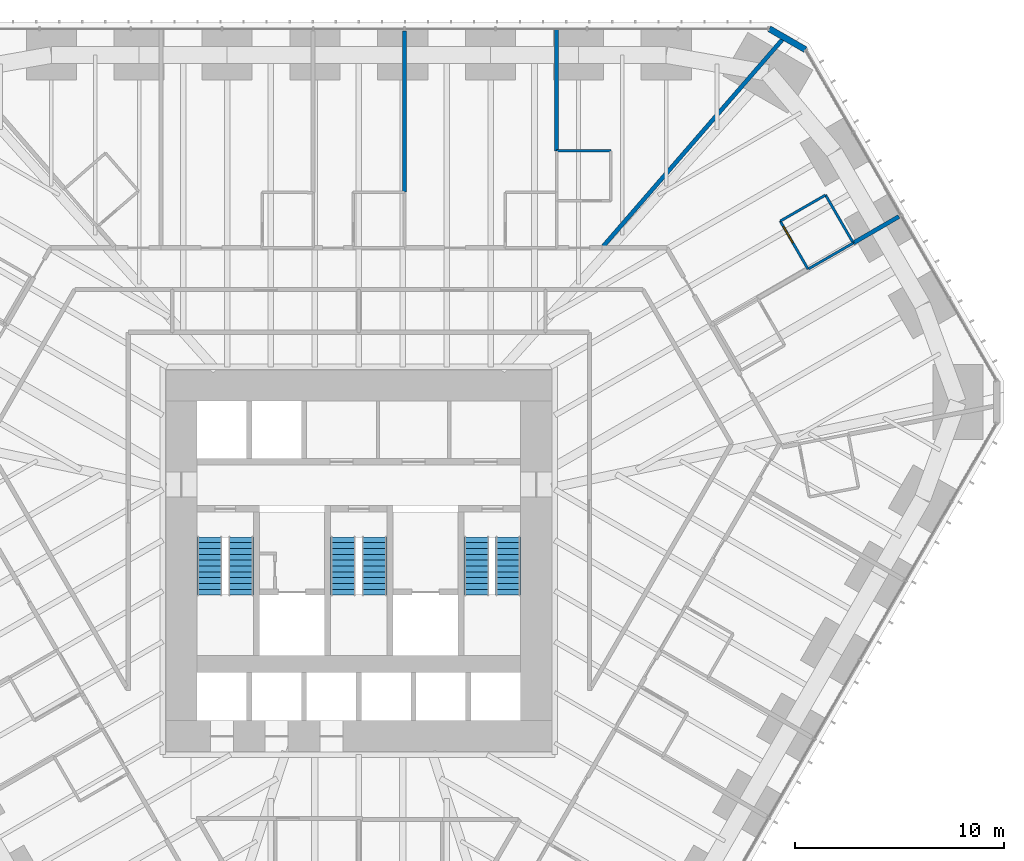
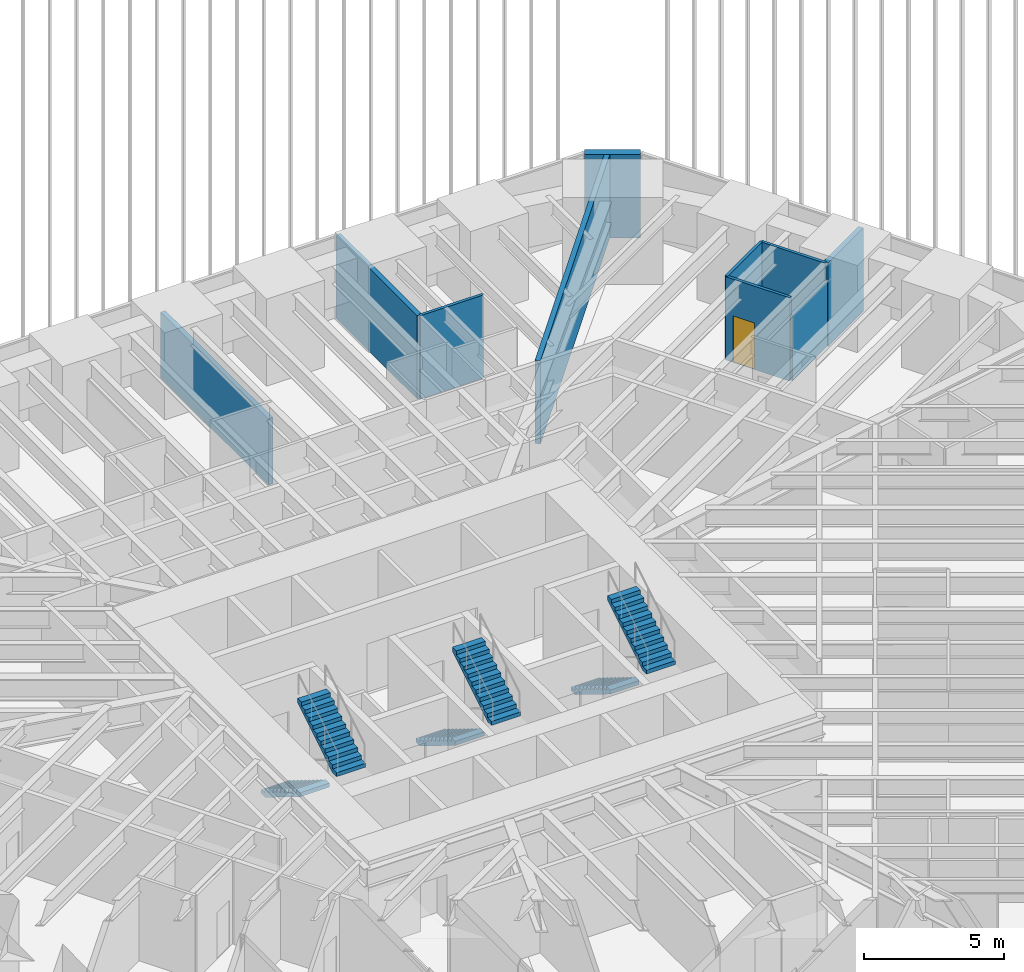
# One storey, part 255 of 256: 10 walls, 6 stair flights, 1 door, 1 opening, 3 elements without a shape of their own.
"""IFC4 building model written with IfcOpenShell, lengths in metres."""

from ifc_helpers import new_model, si_unit, direction, frame, frame_2d, origin, place, context, subcontext, project, spatial, polyline, rectangle, outline, extrude, material, layer, layer_set, type_object, element, fill, aggregate, save


model = new_model("IFC4")

# Units and contexts
model_context = context("Model", 3, precision=1e-05, world=origin(), true_north=direction((0.0, 1.0)))
body_context = subcontext(model_context, "Body", "Model", "MODEL_VIEW")
ifc_project = project(units=[si_unit("LENGTHUNIT", "METRE"), si_unit("AREAUNIT", "SQUARE_METRE"), si_unit("VOLUMEUNIT", "CUBIC_METRE"), si_unit("PLANEANGLEUNIT", "RADIAN"), si_unit("MASSUNIT", "GRAM", prefix="KILO")], contexts=[model_context])

# Site, building, storey
site_placement = place(None, origin())
site = spatial("IfcSite", under=ifc_project, at=site_placement, CompositionType="ELEMENT")
building_placement = place(site_placement, origin())
building = spatial("IfcBuilding", under=site, at=building_placement, Name="Sandreach Pilgrim Tower", CompositionType="ELEMENT")
storey_placement = place(building_placement, frame((0.0, 0.0, 23.0)))
storey = spatial("IfcBuildingStorey", under=building, at=storey_placement, Name="L04", CompositionType="ELEMENT", Elevation=23.0)

# Wall
ifc_material_1 = material(Name="Moisture-resistant gypsum board on steel studs", Category="steel")
ifc_layer_1 = layer(ifc_material_1, 0.1201171875)
ifc_layer_set_1 = layer_set([ifc_layer_1], Name="Bathroom partition 120")
wall_type_1 = type_object("IfcWallType", Name="Bathroom partition 120", PredefinedType="PARTITIONING", material=ifc_layer_set_1)
wall_1_placement = place(storey_placement, frame((12.080078125, 18.10009765625, 0.0), z_axis=(0.0, 0.0, 1.0), x_axis=(-1.0, 0.0, 0.0)))
element("IfcWall", 1, at=wall_1_placement, inside=storey, type_object=wall_type_1, Name="Bathroom partition L04-133", PredefinedType="PARTITIONING", context=body_context, shape_type="SweptSolid", body=[
    extrude(rectangle(XDim=2.60009765625, YDim=0.1201171875, at=frame_2d((1.300048828125, 0.0))), origin(), (0.0, 0.0, 1.0), 3.639892578125),
])

# Wall, opening, door
wall_2_placement = place(storey_placement, frame((20.199951171875, 14.72998046875, 0.0), z_axis=(0.0, 0.0, 1.0), x_axis=(0.500605174168, -0.865675724273, 0.0)))
wall_2 = element("IfcWall", 2, at=wall_2_placement, inside=storey, type_object=wall_type_1, Name="Bathroom partition L04-157", PredefinedType="PARTITIONING", context=body_context, shape_type="SweptSolid", body=[
    extrude(rectangle(XDim=2.656982421875, YDim=0.1201171875, at=frame_2d((1.32861328125, 0.0))), origin(), (0.0, 0.0, 1.0), 3.639892578125),
])
opening_placement = place(wall_2_placement, frame((0.300048828125, 0.0, 0.0)))
opening = element("IfcOpeningElement", 3, at=opening_placement, cuts=wall_2, Name="Opening D09-06B", PredefinedType="OPENING", context=body_context, shape_type="SweptSolid", body=[
    extrude(rectangle(XDim=0.89990234375, YDim=2.030029296875, at=frame_2d((0.449951171875, 1.01513671875))), frame((0.0, 0.06005859375, 0.0), z_axis=(0.0, -1.0, 0.0), x_axis=(1.0, 0.0, 0.0)), (0.0, 0.0, 1.0), 0.1201171875),
])
ifc_material_2 = material(Name="Timber door, steel frame", Category="steel")
door_type = type_object("IfcDoorType", Name="Bathroom door", OperationType="SINGLE_SWING_LEFT", PredefinedType="DOOR", material=ifc_material_2)
door_placement = place(opening_placement, origin())
door = element("IfcDoor", 4, at=door_placement, inside=storey, type_object=door_type, Name="Door 0406B", OperationType="SINGLE_SWING_LEFT", OverallHeight=2.030029296875, OverallWidth=0.89990234375, PredefinedType="DOOR", context=body_context, shape_type="SweptSolid", body=[
    extrude(rectangle(XDim=0.89990234375, YDim=2.030029296875, at=frame_2d((0.449951171875, 1.01513671875))), frame((0.0, 0.02490234375, 0.0), z_axis=(0.0, -1.0, 0.0), x_axis=(1.0, 0.0, 0.0)), (0.0, 0.0, 1.0), 0.050048828125),
])
fill(opening, door)

# Walls
wall_3_placement = place(storey_placement, frame((21.550048828125, 12.43994140625, 0.0), z_axis=(0.0, 0.0, 1.0), x_axis=(0.866244536399, 0.499620258956, 0.0)))
element("IfcWall", 5, at=wall_3_placement, inside=storey, type_object=wall_type_1, Name="Bathroom partition L04-163", PredefinedType="PARTITIONING", context=body_context, shape_type="SweptSolid", body=[
    extrude(rectangle(XDim=2.48193359375, YDim=0.1201171875, at=frame_2d((1.240966796875, 0.0))), origin(), (0.0, 0.0, 1.0), 2.860107421875),
])
wall_4_placement = place(storey_placement, frame((22.3701171875, 15.97998046875, 0.0), z_axis=(0.0, 0.0, 1.0), x_axis=(-0.86653430447, -0.499117520406, 0.0)))
element("IfcWall", 6, at=wall_4_placement, inside=storey, type_object=wall_type_1, Name="Bathroom partition L04-165", PredefinedType="PARTITIONING", context=body_context, shape_type="SweptSolid", body=[
    extrude(rectangle(XDim=2.50439453125, YDim=0.1201171875, at=frame_2d((1.252197265625, 0.0))), origin(), (0.0, 0.0, 1.0), 3.639892578125),
])
wall_5_placement = place(storey_placement, frame((23.699951171875, 13.679931640625, 0.0), z_axis=(0.0, 0.0, 1.0), x_axis=(-0.500605174168, 0.865675724273, 0.0)))
element("IfcWall", 7, at=wall_5_placement, inside=storey, type_object=wall_type_1, Name="Bathroom partition L04-167", PredefinedType="PARTITIONING", context=body_context, shape_type="SweptSolid", body=[
    extrude(rectangle(XDim=2.656982421875, YDim=0.1201171875, at=frame_2d((1.32861328125, 0.0))), origin(), (0.0, 0.0, 1.0), 3.639892578125),
])
ifc_material_3 = material(Name="Double steel stud acoustic wall, gypsum board", Category="steel")
ifc_layer_2 = layer(ifc_material_3, 0.199951171875)
ifc_layer_set_2 = layer_set([ifc_layer_2], Name="Party wall 200")
wall_type_2 = type_object("IfcWallType", Name="Party wall 200", PredefinedType="PARTITIONING", material=ifc_layer_set_2)
wall_6_placement = place(storey_placement, frame((2.18994140625, 23.830078125, 0.0), z_axis=(0.0, 0.0, 1.0), x_axis=(0.0, -1.0, 0.0)))
element("IfcWall", 8, at=wall_6_placement, inside=storey, type_object=wall_type_2, Name="Party wall L04-092", PredefinedType="PARTITIONING", context=body_context, shape_type="SweptSolid", body=[
    extrude(rectangle(XDim=7.7099609375, YDim=0.199951171875, at=frame_2d((3.85498046875, 0.0))), origin(), (0.0, 0.0, 1.0), 2.8779296875),
])
wall_7_placement = place(storey_placement, frame((9.47998046875, 23.919921875, 0.0), z_axis=(0.0, 0.0, 1.0), x_axis=(0.0, -1.0, 0.0)))
element("IfcWall", 9, at=wall_7_placement, inside=storey, type_object=wall_type_2, Name="Party wall L04-121", PredefinedType="PARTITIONING", context=body_context, shape_type="SweptSolid", body=[
    extrude(rectangle(XDim=5.81982421875, YDim=0.199951171875, at=frame_2d((2.909912109375, 0.0))), origin(), (0.0, 0.0, 1.0), 3.639892578125),
])
wall_8_placement = place(storey_placement, frame((20.400390625, 23.54736328125, 0.0), z_axis=(0.0, 0.0, 1.0), x_axis=(-0.654899675326, -0.7557158297, 0.0)))
element("IfcWall", 10, at=wall_8_placement, inside=storey, type_object=wall_type_2, Name="Party wall L04-159", PredefinedType="PARTITIONING", context=body_context, shape_type="SweptSolid", body=[
    extrude(rectangle(XDim=13.251220703125, YDim=0.199951171875, at=frame_2d((6.62548828125, 0.0))), origin(), (0.0, 0.0, 1.0), 3.639892578125),
])
wall_9_placement = place(storey_placement, frame((23.699951171875, 13.679931640625, 0.0), z_axis=(0.0, 0.0, 1.0), x_axis=(0.864733482606, 0.502231026581, 0.0)))
element("IfcWall", 11, at=wall_9_placement, inside=storey, type_object=wall_type_2, Name="Party wall L04-168", PredefinedType="PARTITIONING", context=body_context, shape_type="SweptSolid", body=[
    extrude(rectangle(XDim=2.5283203125, YDim=0.199951171875, at=frame_2d((1.26416015625, 0.0))), origin(), (0.0, 0.0, 1.0), 3.639892578125),
])
ifc_material_4 = material(Name="Terracotta rainscreen on concrete", Category="masonry")
ifc_layer_3 = layer(ifc_material_4, 0.300048828125)
ifc_layer_set_3 = layer_set([ifc_layer_3], Name="Terracotta chamfer pier")
wall_type_3 = type_object("IfcWallType", Name="Terracotta chamfer pier", PredefinedType="SOLIDWALL", material=ifc_layer_set_3)
wall_10_placement = place(storey_placement, frame((19.672119140625, 23.94873046875, 0.0), z_axis=(0.0, 0.0, 1.0), x_axis=(0.866010750942, -0.50002537861, 0.0)))
element("IfcWall", 12, at=wall_10_placement, inside=storey, type_object=wall_type_3, Name="Chamfer pier L04 N", PredefinedType="SOLIDWALL", context=body_context, shape_type="SweptSolid", body=[
    extrude(rectangle(XDim=2.0, YDim=0.300048828125, at=frame_2d((1.0, 0.0))), origin(), (0.0, 0.0, 1.0), 3.639892578125),
])

# Stair, stair flights
ifc_material_5 = material(Name="Concrete 8000 psi", Category="concrete")
stair_type = type_object("IfcStairType", Name="Core exit stair", PredefinedType="HALF_TURN_STAIR", material=ifc_material_5)
stair_1_placement = place(storey_placement, origin())
stair_1 = element("IfcStair", 13, at=stair_1_placement, inside=storey, type_object=stair_type, Name="Exit stair ST1 L04", PredefinedType="HALF_TURN_STAIR")
ifc_material_6 = material(Name="Concrete 8000 psi", Category="concrete")
stair_flight_type = type_object("IfcStairFlightType", Name="Core stair flight 1200", PredefinedType="STRAIGHT", material=ifc_material_6)
stair_flight_1_placement = place(storey_placement, frame((-7.14990234375, -0.39990234375, 0.0), z_axis=(0.0, 0.0, 1.0), x_axis=(0.0, -1.0, 0.0)))
stair_flight_1 = element("IfcStairFlight", 14, at=stair_flight_1_placement, type_object=stair_flight_type, Name="ST1 flight 1", NumberOfRisers=11, NumberOfTreads=10, PredefinedType="STRAIGHT", RiserHeight=0.172727273, TreadLength=0.28, context=body_context, shape_type="SweptSolid", body=[
    extrude(outline(polyline([(0.0, 0.0), (0.0, 0.172607421875), (0.280029296875, 0.172607421875), (0.280029296875, 0.345458984375), (0.56005859375, 0.345458984375), (0.56005859375, 0.51806640625), (0.840087890625, 0.51806640625), (0.840087890625, 0.69091796875), (1.1201171875, 0.69091796875), (1.1201171875, 0.863525390625), (1.39990234375, 0.863525390625), (1.39990234375, 1.036376953125), (1.679931640625, 1.036376953125), (1.679931640625, 1.208984375), (1.9599609375, 1.208984375), (1.9599609375, 1.3818359375), (2.239990234375, 1.3818359375), (2.239990234375, 1.554443359375), (2.52001953125, 1.554443359375), (2.52001953125, 1.727294921875), (2.800048828125, 1.727294921875), (2.800048828125, 1.89990234375), (2.800048828125, 1.551025390625), (0.285400390625, 0.0), (0.0, 0.0)])), frame((0.0, 0.60009765625, 0.0), z_axis=(0.0, -1.0, 0.0), x_axis=(1.0, 0.0, 0.0)), (0.0, 0.0, 1.0), 1.199951171875),
])
stair_flight_2_placement = place(storey_placement, frame((-5.64990234375, -3.199951171875, 1.89990234375), z_axis=(0.0, 0.0, 1.0), x_axis=(0.0, 1.0, 0.0)))
stair_flight_2 = element("IfcStairFlight", 15, at=stair_flight_2_placement, type_object=stair_flight_type, Name="ST1 flight 2", NumberOfRisers=11, NumberOfTreads=10, PredefinedType="STRAIGHT", RiserHeight=0.172727273, TreadLength=0.28, context=body_context, shape_type="SweptSolid", body=[
    extrude(outline(polyline([(0.0, 0.0), (0.0, 0.172607421875), (0.280029296875, 0.172607421875), (0.280029296875, 0.345458984375), (0.56005859375, 0.345458984375), (0.56005859375, 0.51806640625), (0.840087890625, 0.51806640625), (0.840087890625, 0.69091796875), (1.1201171875, 0.69091796875), (1.1201171875, 0.863525390625), (1.39990234375, 0.863525390625), (1.39990234375, 1.036376953125), (1.679931640625, 1.036376953125), (1.679931640625, 1.208984375), (1.9599609375, 1.208984375), (1.9599609375, 1.3818359375), (2.239990234375, 1.3818359375), (2.239990234375, 1.554443359375), (2.52001953125, 1.554443359375), (2.52001953125, 1.727294921875), (2.800048828125, 1.727294921875), (2.800048828125, 1.89990234375), (2.800048828125, 1.551025390625), (0.285400390625, 0.0), (0.0, 0.0)])), frame((0.0, 0.60009765625, 0.0), z_axis=(0.0, -1.0, 0.0), x_axis=(1.0, 0.0, 0.0)), (0.0, 0.0, 1.0), 1.199951171875),
])
aggregate(stair_1, [stair_flight_1, stair_flight_2])

stair_2_placement = place(storey_placement, origin())
stair_2 = element("IfcStair", 16, at=stair_2_placement, inside=storey, type_object=stair_type, Name="Exit stair ST3 L04", PredefinedType="HALF_TURN_STAIR")
stair_flight_3_placement = place(storey_placement, frame((-0.75, -0.39990234375, 0.0), z_axis=(0.0, 0.0, 1.0), x_axis=(0.0, -1.0, 0.0)))
stair_flight_3 = element("IfcStairFlight", 17, at=stair_flight_3_placement, type_object=stair_flight_type, Name="ST3 flight 1", NumberOfRisers=11, NumberOfTreads=10, PredefinedType="STRAIGHT", RiserHeight=0.172727273, TreadLength=0.28, context=body_context, shape_type="SweptSolid", body=[
    extrude(outline(polyline([(0.0, 0.0), (0.0, 0.172607421875), (0.280029296875, 0.172607421875), (0.280029296875, 0.345458984375), (0.56005859375, 0.345458984375), (0.56005859375, 0.51806640625), (0.840087890625, 0.51806640625), (0.840087890625, 0.69091796875), (1.1201171875, 0.69091796875), (1.1201171875, 0.863525390625), (1.39990234375, 0.863525390625), (1.39990234375, 1.036376953125), (1.679931640625, 1.036376953125), (1.679931640625, 1.208984375), (1.9599609375, 1.208984375), (1.9599609375, 1.3818359375), (2.239990234375, 1.3818359375), (2.239990234375, 1.554443359375), (2.52001953125, 1.554443359375), (2.52001953125, 1.727294921875), (2.800048828125, 1.727294921875), (2.800048828125, 1.89990234375), (2.800048828125, 1.551025390625), (0.285400390625, 0.0), (0.0, 0.0)])), frame((0.0, 0.60009765625, 0.0), z_axis=(0.0, -1.0, 0.0), x_axis=(1.0, 0.0, 0.0)), (0.0, 0.0, 1.0), 1.199951171875),
])
stair_flight_4_placement = place(storey_placement, frame((0.75, -3.199951171875, 1.89990234375), z_axis=(0.0, 0.0, 1.0), x_axis=(0.0, 1.0, 0.0)))
stair_flight_4 = element("IfcStairFlight", 18, at=stair_flight_4_placement, type_object=stair_flight_type, Name="ST3 flight 2", NumberOfRisers=11, NumberOfTreads=10, PredefinedType="STRAIGHT", RiserHeight=0.172727273, TreadLength=0.28, context=body_context, shape_type="SweptSolid", body=[
    extrude(outline(polyline([(0.0, 0.0), (0.0, 0.172607421875), (0.280029296875, 0.172607421875), (0.280029296875, 0.345458984375), (0.56005859375, 0.345458984375), (0.56005859375, 0.51806640625), (0.840087890625, 0.51806640625), (0.840087890625, 0.69091796875), (1.1201171875, 0.69091796875), (1.1201171875, 0.863525390625), (1.39990234375, 0.863525390625), (1.39990234375, 1.036376953125), (1.679931640625, 1.036376953125), (1.679931640625, 1.208984375), (1.9599609375, 1.208984375), (1.9599609375, 1.3818359375), (2.239990234375, 1.3818359375), (2.239990234375, 1.554443359375), (2.52001953125, 1.554443359375), (2.52001953125, 1.727294921875), (2.800048828125, 1.727294921875), (2.800048828125, 1.89990234375), (2.800048828125, 1.551025390625), (0.285400390625, 0.0), (0.0, 0.0)])), frame((0.0, 0.60009765625, 0.0), z_axis=(0.0, -1.0, 0.0), x_axis=(1.0, 0.0, 0.0)), (0.0, 0.0, 1.0), 1.199951171875),
])
aggregate(stair_2, [stair_flight_3, stair_flight_4])

stair_3_placement = place(storey_placement, origin())
stair_3 = element("IfcStair", 19, at=stair_3_placement, inside=storey, type_object=stair_type, Name="Exit stair ST2 L04", PredefinedType="HALF_TURN_STAIR")
stair_flight_5_placement = place(storey_placement, frame((5.64990234375, -0.39990234375, 0.0), z_axis=(0.0, 0.0, 1.0), x_axis=(0.0, -1.0, 0.0)))
stair_flight_5 = element("IfcStairFlight", 20, at=stair_flight_5_placement, type_object=stair_flight_type, Name="ST2 flight 1", NumberOfRisers=11, NumberOfTreads=10, PredefinedType="STRAIGHT", RiserHeight=0.172727273, TreadLength=0.28, context=body_context, shape_type="SweptSolid", body=[
    extrude(outline(polyline([(0.0, 0.0), (0.0, 0.172607421875), (0.280029296875, 0.172607421875), (0.280029296875, 0.345458984375), (0.56005859375, 0.345458984375), (0.56005859375, 0.51806640625), (0.840087890625, 0.51806640625), (0.840087890625, 0.69091796875), (1.1201171875, 0.69091796875), (1.1201171875, 0.863525390625), (1.39990234375, 0.863525390625), (1.39990234375, 1.036376953125), (1.679931640625, 1.036376953125), (1.679931640625, 1.208984375), (1.9599609375, 1.208984375), (1.9599609375, 1.3818359375), (2.239990234375, 1.3818359375), (2.239990234375, 1.554443359375), (2.52001953125, 1.554443359375), (2.52001953125, 1.727294921875), (2.800048828125, 1.727294921875), (2.800048828125, 1.89990234375), (2.800048828125, 1.551025390625), (0.285400390625, 0.0), (0.0, 0.0)])), frame((0.0, 0.60009765625, 0.0), z_axis=(0.0, -1.0, 0.0), x_axis=(1.0, 0.0, 0.0)), (0.0, 0.0, 1.0), 1.199951171875),
])
stair_flight_6_placement = place(storey_placement, frame((7.14990234375, -3.199951171875, 1.89990234375), z_axis=(0.0, 0.0, 1.0), x_axis=(0.0, 1.0, 0.0)))
stair_flight_6 = element("IfcStairFlight", 21, at=stair_flight_6_placement, type_object=stair_flight_type, Name="ST2 flight 2", NumberOfRisers=11, NumberOfTreads=10, PredefinedType="STRAIGHT", RiserHeight=0.172727273, TreadLength=0.28, context=body_context, shape_type="SweptSolid", body=[
    extrude(outline(polyline([(0.0, 0.0), (0.0, 0.172607421875), (0.280029296875, 0.172607421875), (0.280029296875, 0.345458984375), (0.56005859375, 0.345458984375), (0.56005859375, 0.51806640625), (0.840087890625, 0.51806640625), (0.840087890625, 0.69091796875), (1.1201171875, 0.69091796875), (1.1201171875, 0.863525390625), (1.39990234375, 0.863525390625), (1.39990234375, 1.036376953125), (1.679931640625, 1.036376953125), (1.679931640625, 1.208984375), (1.9599609375, 1.208984375), (1.9599609375, 1.3818359375), (2.239990234375, 1.3818359375), (2.239990234375, 1.554443359375), (2.52001953125, 1.554443359375), (2.52001953125, 1.727294921875), (2.800048828125, 1.727294921875), (2.800048828125, 1.89990234375), (2.800048828125, 1.551025390625), (0.285400390625, 0.0), (0.0, 0.0)])), frame((0.0, 0.60009765625, 0.0), z_axis=(0.0, -1.0, 0.0), x_axis=(1.0, 0.0, 0.0)), (0.0, 0.0, 1.0), 1.199951171875),
])
aggregate(stair_3, [stair_flight_5, stair_flight_6])

save(model, "model.ifc")
